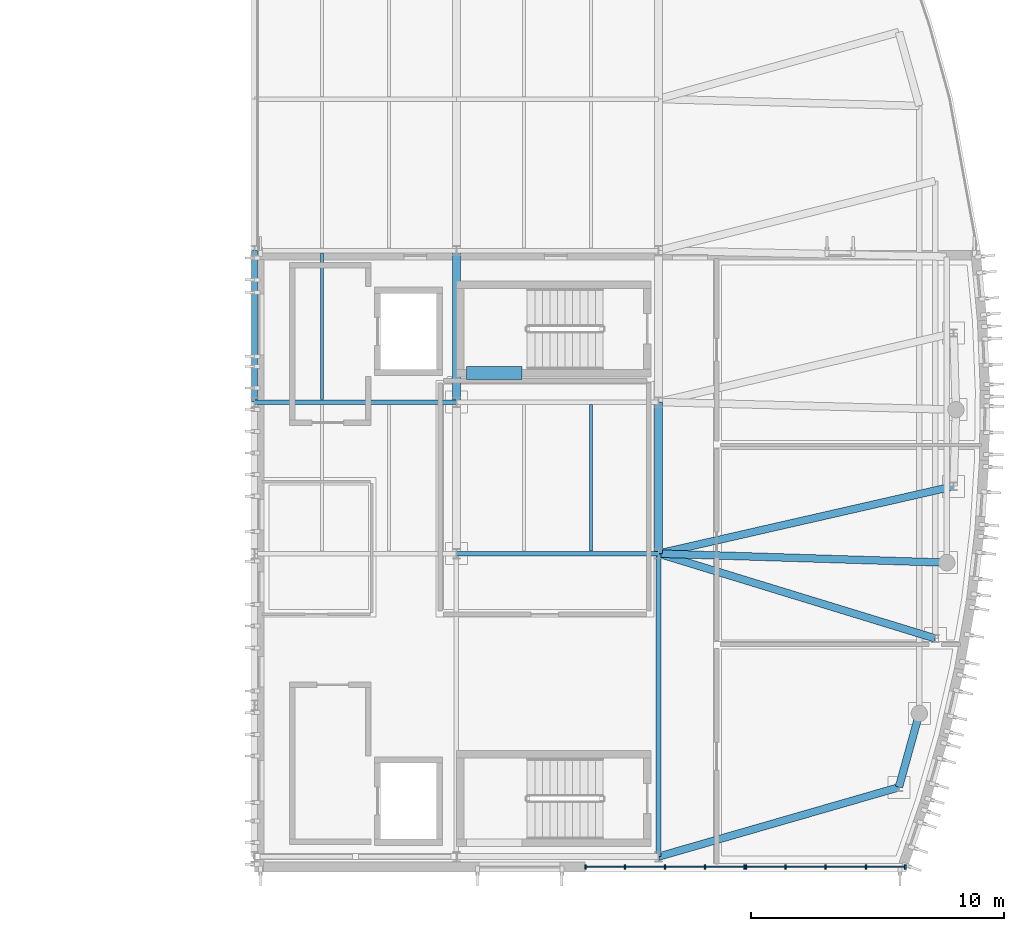
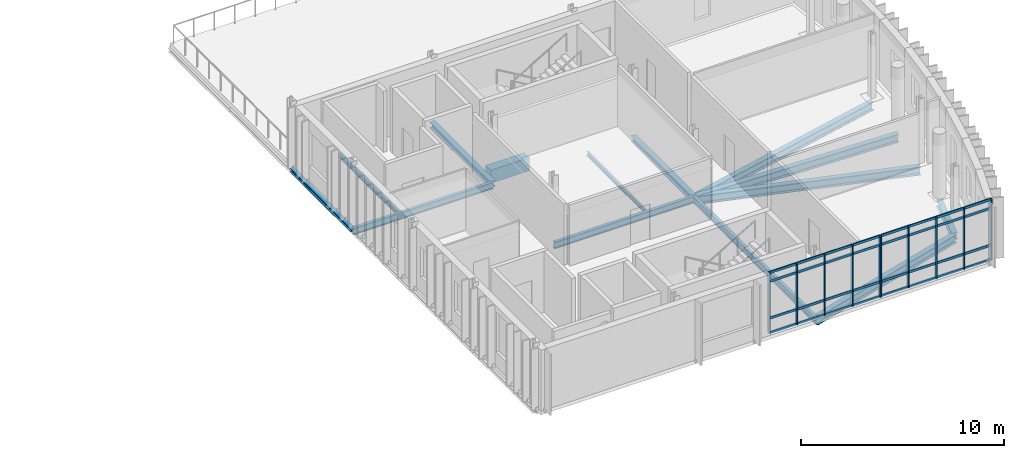
# One storey, part 17 of 40: 42 members, 14 beams, 2 elements without a shape of their own.
"""IFC4 building model written with IfcOpenShell, lengths in metres."""

from ifc_helpers import new_model, si_unit, direction, frame, origin, origin_2d, place, context, subcontext, project, spatial, rectangle, i_section, extrude, material, material_profile, profile_set, type_object, element, aggregate, save


model = new_model("IFC4")

# Units and contexts
model_context = context("Model", 3, precision=1e-05, world=origin(), true_north=direction((0.0, 1.0)))
body_context = subcontext(model_context, "Body", "Model", "MODEL_VIEW")
ifc_project = project(units=[si_unit("LENGTHUNIT", "METRE"), si_unit("AREAUNIT", "SQUARE_METRE"), si_unit("VOLUMEUNIT", "CUBIC_METRE"), si_unit("PLANEANGLEUNIT", "RADIAN"), si_unit("MASSUNIT", "GRAM", prefix="KILO")], contexts=[model_context])

# Site, building, storey
site_placement = place(None, origin())
site = spatial("IfcSite", under=ifc_project, at=site_placement, CompositionType="ELEMENT")
building_placement = place(site_placement, origin())
building = spatial("IfcBuilding", under=site, at=building_placement, Name="Cymarion Research Institute", CompositionType="ELEMENT")
storey_placement = place(building_placement, frame((0.0, 0.0, 26.699951171875)))
storey = spatial("IfcBuildingStorey", under=building, at=storey_placement, Name="L06", CompositionType="ELEMENT", Elevation=26.699951171875)

# Beam
ifc_material_1 = material(Name="Concrete C40/50", Category="concrete")
ifc_material_profile_1 = material_profile(ifc_material_1, rectangle(XDim=0.5, YDim=0.800048828125, at=origin_2d()), Name="RC 500x800")
ifc_profile_set_1 = profile_set([ifc_material_profile_1], Name="Concrete C40/50")
beam_type_1 = type_object("IfcBeamType", Name="COUPLING LINTEL LN03 RC 500x800", PredefinedType="LINTEL", material=ifc_profile_set_1)
beam_1_placement = place(storey_placement, frame((147.0, 24.64990234375, -0.639892578125), z_axis=(1.0, 0.0, 0.0), x_axis=(0.0, 1.0, 0.0)))
element("IfcBeam", 1, at=beam_1_placement, inside=storey, type_object=beam_type_1, Name="L06 C2 core coupling lintel LN03", PredefinedType="LINTEL", context=body_context, shape_type="SweptSolid", body=[
    extrude(rectangle(XDim=0.5, YDim=0.800048828125, at=origin_2d()), origin(), (0.0, 0.0, 1.0), 2.199951171875),
])

# Curtain wall, members
ifc_material_2 = material(Name="Anodised aluminium unitised curtain wall with Low-E glazing", Category="aluminium")
curtain_wall_type = type_object("IfcCurtainWallType", Name="UNITISED CURTAIN WALL CW46 6360X3680", PredefinedType="NOTDEFINED", material=ifc_material_2)
curtain_wall_1_placement = place(storey_placement, origin())
curtain_wall_1 = element("IfcCurtainWall", 2, at=curtain_wall_1_placement, inside=storey, type_object=curtain_wall_type, Name="L06 V1 unitised curtain wall CW46 #215", PredefinedType="NOTDEFINED")
ifc_material_3 = material(Name="Anodised aluminium framing", Category="aluminium")
ifc_material_profile_2 = material_profile(ifc_material_3, rectangle(XDim=0.06005859375, YDim=0.179931640625, at=origin_2d()), Name="ALU MULLION 60x180")
ifc_profile_set_2 = profile_set([ifc_material_profile_2], Name="Anodised aluminium framing")
member_type_1 = type_object("IfcMemberType", Name="CURTAIN WALL MULLION ML01 60X180", PredefinedType="MULLION", material=ifc_profile_set_2)
member_1_placement = place(storey_placement, frame((151.7109375, 5.090087890625, 0.0), z_axis=(0.0, 0.0, 1.0), x_axis=(1.0, 0.0, 0.0)))
member_1 = element("IfcMember", 3, at=member_1_placement, type_object=member_type_1, Name="CW46 mullion 1", PredefinedType="MULLION", context=body_context, shape_type="SweptSolid", body=[
    extrude(rectangle(XDim=0.06005859375, YDim=0.179931640625, at=origin_2d()), origin(), (0.0, 0.0, 1.0), 3.679931640625),
])
member_2_placement = place(storey_placement, frame((153.27099609375, 5.090087890625, 0.0), z_axis=(0.0, 0.0, 1.0), x_axis=(1.0, 0.0, 0.0)))
member_2 = element("IfcMember", 4, at=member_2_placement, type_object=member_type_1, Name="CW46 mullion 2", PredefinedType="MULLION", context=body_context, shape_type="SweptSolid", body=[
    extrude(rectangle(XDim=0.06005859375, YDim=0.179931640625, at=origin_2d()), origin(), (0.0, 0.0, 1.0), 3.679931640625),
])
member_3_placement = place(storey_placement, frame((154.86083984375, 5.090087890625, 0.0), z_axis=(0.0, 0.0, 1.0), x_axis=(1.0, 0.0, 0.0)))
member_3 = element("IfcMember", 5, at=member_3_placement, type_object=member_type_1, Name="CW46 mullion 3", PredefinedType="MULLION", context=body_context, shape_type="SweptSolid", body=[
    extrude(rectangle(XDim=0.06005859375, YDim=0.179931640625, at=origin_2d()), origin(), (0.0, 0.0, 1.0), 3.679931640625),
])
member_4_placement = place(storey_placement, frame((156.45068359375, 5.090087890625, 0.0), z_axis=(0.0, 0.0, 1.0), x_axis=(1.0, 0.0, 0.0)))
member_4 = element("IfcMember", 6, at=member_4_placement, type_object=member_type_1, Name="CW46 mullion 4", PredefinedType="MULLION", context=body_context, shape_type="SweptSolid", body=[
    extrude(rectangle(XDim=0.06005859375, YDim=0.179931640625, at=origin_2d()), origin(), (0.0, 0.0, 1.0), 3.679931640625),
])
member_5_placement = place(storey_placement, frame((158.010498046875, 5.090087890625, 0.0), z_axis=(0.0, 0.0, 1.0), x_axis=(1.0, 0.0, 0.0)))
member_5 = element("IfcMember", 7, at=member_5_placement, type_object=member_type_1, Name="CW46 mullion 5", PredefinedType="MULLION", context=body_context, shape_type="SweptSolid", body=[
    extrude(rectangle(XDim=0.06005859375, YDim=0.179931640625, at=origin_2d()), origin(), (0.0, 0.0, 1.0), 3.679931640625),
])

curtain_wall_2_placement = place(storey_placement, origin())
curtain_wall_2 = element("IfcCurtainWall", 8, at=curtain_wall_2_placement, inside=storey, type_object=curtain_wall_type, Name="L06 V1 unitised curtain wall CW46 #216", PredefinedType="NOTDEFINED")
member_6_placement = place(storey_placement, frame((158.070556640625, 5.090087890625, 0.0), z_axis=(0.0, 0.0, 1.0), x_axis=(1.0, 0.0, 0.0)))
member_6 = element("IfcMember", 9, at=member_6_placement, type_object=member_type_1, Name="CW46 mullion 1", PredefinedType="MULLION", context=body_context, shape_type="SweptSolid", body=[
    extrude(rectangle(XDim=0.06005859375, YDim=0.179931640625, at=origin_2d()), origin(), (0.0, 0.0, 1.0), 3.679931640625),
])
member_7_placement = place(storey_placement, frame((159.63037109375, 5.090087890625, 0.0), z_axis=(0.0, 0.0, 1.0), x_axis=(1.0, 0.0, 0.0)))
member_7 = element("IfcMember", 10, at=member_7_placement, type_object=member_type_1, Name="CW46 mullion 2", PredefinedType="MULLION", context=body_context, shape_type="SweptSolid", body=[
    extrude(rectangle(XDim=0.06005859375, YDim=0.179931640625, at=origin_2d()), origin(), (0.0, 0.0, 1.0), 3.679931640625),
])
member_8_placement = place(storey_placement, frame((161.22021484375, 5.090087890625, 0.0), z_axis=(0.0, 0.0, 1.0), x_axis=(1.0, 0.0, 0.0)))
member_8 = element("IfcMember", 11, at=member_8_placement, type_object=member_type_1, Name="CW46 mullion 3", PredefinedType="MULLION", context=body_context, shape_type="SweptSolid", body=[
    extrude(rectangle(XDim=0.06005859375, YDim=0.179931640625, at=origin_2d()), origin(), (0.0, 0.0, 1.0), 3.679931640625),
])
member_9_placement = place(storey_placement, frame((162.81005859375, 5.090087890625, 0.0), z_axis=(0.0, 0.0, 1.0), x_axis=(1.0, 0.0, 0.0)))
member_9 = element("IfcMember", 12, at=member_9_placement, type_object=member_type_1, Name="CW46 mullion 4", PredefinedType="MULLION", context=body_context, shape_type="SweptSolid", body=[
    extrude(rectangle(XDim=0.06005859375, YDim=0.179931640625, at=origin_2d()), origin(), (0.0, 0.0, 1.0), 3.679931640625),
])
member_10_placement = place(storey_placement, frame((164.3701171875, 5.090087890625, 0.0), z_axis=(0.0, 0.0, 1.0), x_axis=(1.0, 0.0, 0.0)))
member_10 = element("IfcMember", 13, at=member_10_placement, type_object=member_type_1, Name="CW46 mullion 5", PredefinedType="MULLION", context=body_context, shape_type="SweptSolid", body=[
    extrude(rectangle(XDim=0.06005859375, YDim=0.179931640625, at=origin_2d()), origin(), (0.0, 0.0, 1.0), 3.679931640625),
])

# Member
ifc_material_profile_3 = material_profile(ifc_material_3, rectangle(XDim=0.06005859375, YDim=0.14990234375, at=origin_2d()), Name="ALU TRANSOM 60x150")
ifc_profile_set_3 = profile_set([ifc_material_profile_3], Name="Anodised aluminium framing")
member_type_2 = type_object("IfcMemberType", Name="CURTAIN WALL TRANSOM TR01 60X150", PredefinedType="USERDEFINED", material=ifc_profile_set_3)
member_11_placement = place(storey_placement, frame((151.740966796875, 5.090087890625, 0.030029296875), z_axis=(1.0, 0.0, 0.0), x_axis=(0.0, 1.0, 0.0)))
member_11 = element("IfcMember", 14, at=member_11_placement, type_object=member_type_2, Name="CW46 transom 1.1", ObjectType="TRANSOM", PredefinedType="USERDEFINED", context=body_context, shape_type="SweptSolid", body=[
    extrude(rectangle(XDim=0.06005859375, YDim=0.14990234375, at=origin_2d()), origin(), (0.0, 0.0, 1.0), 1.5),
])

member_12_placement = place(storey_placement, frame((151.740966796875, 5.090087890625, 0.900146484375), z_axis=(1.0, 0.0, 0.0), x_axis=(0.0, 1.0, 0.0)))
member_12 = element("IfcMember", 15, at=member_12_placement, type_object=member_type_2, Name="CW46 transom 1.2", ObjectType="TRANSOM", PredefinedType="USERDEFINED", context=body_context, shape_type="SweptSolid", body=[
    extrude(rectangle(XDim=0.06005859375, YDim=0.14990234375, at=origin_2d()), origin(), (0.0, 0.0, 1.0), 1.5),
])

member_13_placement = place(storey_placement, frame((151.740966796875, 5.090087890625, 3.130126953125), z_axis=(1.0, 0.0, 0.0), x_axis=(0.0, 1.0, 0.0)))
member_13 = element("IfcMember", 16, at=member_13_placement, type_object=member_type_2, Name="CW46 transom 1.3", ObjectType="TRANSOM", PredefinedType="USERDEFINED", context=body_context, shape_type="SweptSolid", body=[
    extrude(rectangle(XDim=0.06005859375, YDim=0.14990234375, at=origin_2d()), origin(), (0.0, 0.0, 1.0), 1.5),
])

member_14_placement = place(storey_placement, frame((151.740966796875, 5.090087890625, 3.650146484375), z_axis=(1.0, 0.0, 0.0), x_axis=(0.0, 1.0, 0.0)))
member_14 = element("IfcMember", 17, at=member_14_placement, type_object=member_type_2, Name="CW46 transom 1.4", ObjectType="TRANSOM", PredefinedType="USERDEFINED", context=body_context, shape_type="SweptSolid", body=[
    extrude(rectangle(XDim=0.06005859375, YDim=0.14990234375, at=origin_2d()), origin(), (0.0, 0.0, 1.0), 1.5),
])

member_15_placement = place(storey_placement, frame((153.30078125, 5.090087890625, 0.030029296875), z_axis=(1.0, 0.0, 0.0), x_axis=(0.0, 1.0, 0.0)))
member_15 = element("IfcMember", 18, at=member_15_placement, type_object=member_type_2, Name="CW46 transom 2.1", ObjectType="TRANSOM", PredefinedType="USERDEFINED", context=body_context, shape_type="SweptSolid", body=[
    extrude(rectangle(XDim=0.06005859375, YDim=0.14990234375, at=origin_2d()), origin(), (0.0, 0.0, 1.0), 1.530029296875),
])

member_16_placement = place(storey_placement, frame((153.30078125, 5.090087890625, 0.900146484375), z_axis=(1.0, 0.0, 0.0), x_axis=(0.0, 1.0, 0.0)))
member_16 = element("IfcMember", 19, at=member_16_placement, type_object=member_type_2, Name="CW46 transom 2.2", ObjectType="TRANSOM", PredefinedType="USERDEFINED", context=body_context, shape_type="SweptSolid", body=[
    extrude(rectangle(XDim=0.06005859375, YDim=0.14990234375, at=origin_2d()), origin(), (0.0, 0.0, 1.0), 1.530029296875),
])

member_17_placement = place(storey_placement, frame((153.30078125, 5.090087890625, 3.130126953125), z_axis=(1.0, 0.0, 0.0), x_axis=(0.0, 1.0, 0.0)))
member_17 = element("IfcMember", 20, at=member_17_placement, type_object=member_type_2, Name="CW46 transom 2.3", ObjectType="TRANSOM", PredefinedType="USERDEFINED", context=body_context, shape_type="SweptSolid", body=[
    extrude(rectangle(XDim=0.06005859375, YDim=0.14990234375, at=origin_2d()), origin(), (0.0, 0.0, 1.0), 1.530029296875),
])

member_18_placement = place(storey_placement, frame((153.30078125, 5.090087890625, 3.650146484375), z_axis=(1.0, 0.0, 0.0), x_axis=(0.0, 1.0, 0.0)))
member_18 = element("IfcMember", 21, at=member_18_placement, type_object=member_type_2, Name="CW46 transom 2.4", ObjectType="TRANSOM", PredefinedType="USERDEFINED", context=body_context, shape_type="SweptSolid", body=[
    extrude(rectangle(XDim=0.06005859375, YDim=0.14990234375, at=origin_2d()), origin(), (0.0, 0.0, 1.0), 1.530029296875),
])

member_19_placement = place(storey_placement, frame((154.890869140625, 5.090087890625, 0.030029296875), z_axis=(1.0, 0.0, 0.0), x_axis=(0.0, 1.0, 0.0)))
member_19 = element("IfcMember", 22, at=member_19_placement, type_object=member_type_2, Name="CW46 transom 3.1", ObjectType="TRANSOM", PredefinedType="USERDEFINED", context=body_context, shape_type="SweptSolid", body=[
    extrude(rectangle(XDim=0.06005859375, YDim=0.14990234375, at=origin_2d()), origin(), (0.0, 0.0, 1.0), 1.52978515625),
])

member_20_placement = place(storey_placement, frame((154.890869140625, 5.090087890625, 0.900146484375), z_axis=(1.0, 0.0, 0.0), x_axis=(0.0, 1.0, 0.0)))
member_20 = element("IfcMember", 23, at=member_20_placement, type_object=member_type_2, Name="CW46 transom 3.2", ObjectType="TRANSOM", PredefinedType="USERDEFINED", context=body_context, shape_type="SweptSolid", body=[
    extrude(rectangle(XDim=0.06005859375, YDim=0.14990234375, at=origin_2d()), origin(), (0.0, 0.0, 1.0), 1.52978515625),
])

member_21_placement = place(storey_placement, frame((154.890869140625, 5.090087890625, 3.130126953125), z_axis=(1.0, 0.0, 0.0), x_axis=(0.0, 1.0, 0.0)))
member_21 = element("IfcMember", 24, at=member_21_placement, type_object=member_type_2, Name="CW46 transom 3.3", ObjectType="TRANSOM", PredefinedType="USERDEFINED", context=body_context, shape_type="SweptSolid", body=[
    extrude(rectangle(XDim=0.06005859375, YDim=0.14990234375, at=origin_2d()), origin(), (0.0, 0.0, 1.0), 1.52978515625),
])

member_22_placement = place(storey_placement, frame((154.890869140625, 5.090087890625, 3.650146484375), z_axis=(1.0, 0.0, 0.0), x_axis=(0.0, 1.0, 0.0)))
member_22 = element("IfcMember", 25, at=member_22_placement, type_object=member_type_2, Name="CW46 transom 3.4", ObjectType="TRANSOM", PredefinedType="USERDEFINED", context=body_context, shape_type="SweptSolid", body=[
    extrude(rectangle(XDim=0.06005859375, YDim=0.14990234375, at=origin_2d()), origin(), (0.0, 0.0, 1.0), 1.52978515625),
])

member_23_placement = place(storey_placement, frame((156.480712890625, 5.090087890625, 0.030029296875), z_axis=(1.0, 0.0, 0.0), x_axis=(0.0, 1.0, 0.0)))
member_23 = element("IfcMember", 26, at=member_23_placement, type_object=member_type_2, Name="CW46 transom 4.1", ObjectType="TRANSOM", PredefinedType="USERDEFINED", context=body_context, shape_type="SweptSolid", body=[
    extrude(rectangle(XDim=0.06005859375, YDim=0.14990234375, at=origin_2d()), origin(), (0.0, 0.0, 1.0), 1.499755859375),
])

member_24_placement = place(storey_placement, frame((156.480712890625, 5.090087890625, 0.900146484375), z_axis=(1.0, 0.0, 0.0), x_axis=(0.0, 1.0, 0.0)))
member_24 = element("IfcMember", 27, at=member_24_placement, type_object=member_type_2, Name="CW46 transom 4.2", ObjectType="TRANSOM", PredefinedType="USERDEFINED", context=body_context, shape_type="SweptSolid", body=[
    extrude(rectangle(XDim=0.06005859375, YDim=0.14990234375, at=origin_2d()), origin(), (0.0, 0.0, 1.0), 1.499755859375),
])

member_25_placement = place(storey_placement, frame((156.480712890625, 5.090087890625, 3.130126953125), z_axis=(1.0, 0.0, 0.0), x_axis=(0.0, 1.0, 0.0)))
member_25 = element("IfcMember", 28, at=member_25_placement, type_object=member_type_2, Name="CW46 transom 4.3", ObjectType="TRANSOM", PredefinedType="USERDEFINED", context=body_context, shape_type="SweptSolid", body=[
    extrude(rectangle(XDim=0.06005859375, YDim=0.14990234375, at=origin_2d()), origin(), (0.0, 0.0, 1.0), 1.499755859375),
])

member_26_placement = place(storey_placement, frame((156.480712890625, 5.090087890625, 3.650146484375), z_axis=(1.0, 0.0, 0.0), x_axis=(0.0, 1.0, 0.0)))
member_26 = element("IfcMember", 29, at=member_26_placement, type_object=member_type_2, Name="CW46 transom 4.4", ObjectType="TRANSOM", PredefinedType="USERDEFINED", context=body_context, shape_type="SweptSolid", body=[
    extrude(rectangle(XDim=0.06005859375, YDim=0.14990234375, at=origin_2d()), origin(), (0.0, 0.0, 1.0), 1.499755859375),
])

aggregate(curtain_wall_1, [member_1, member_2, member_3, member_4, member_5, member_11, member_12, member_13, member_14, member_15, member_16, member_17, member_18, member_19, member_20, member_21, member_22, member_23, member_24, member_25, member_26])

member_27_placement = place(storey_placement, frame((158.1005859375, 5.090087890625, 0.030029296875), z_axis=(1.0, 0.0, 0.0), x_axis=(0.0, 1.0, 0.0)))
member_27 = element("IfcMember", 30, at=member_27_placement, type_object=member_type_2, Name="CW46 transom 1.1", ObjectType="TRANSOM", PredefinedType="USERDEFINED", context=body_context, shape_type="SweptSolid", body=[
    extrude(rectangle(XDim=0.06005859375, YDim=0.14990234375, at=origin_2d()), origin(), (0.0, 0.0, 1.0), 1.499755859375),
])

member_28_placement = place(storey_placement, frame((158.1005859375, 5.090087890625, 0.900146484375), z_axis=(1.0, 0.0, 0.0), x_axis=(0.0, 1.0, 0.0)))
member_28 = element("IfcMember", 31, at=member_28_placement, type_object=member_type_2, Name="CW46 transom 1.2", ObjectType="TRANSOM", PredefinedType="USERDEFINED", context=body_context, shape_type="SweptSolid", body=[
    extrude(rectangle(XDim=0.06005859375, YDim=0.14990234375, at=origin_2d()), origin(), (0.0, 0.0, 1.0), 1.499755859375),
])

member_29_placement = place(storey_placement, frame((158.1005859375, 5.090087890625, 3.130126953125), z_axis=(1.0, 0.0, 0.0), x_axis=(0.0, 1.0, 0.0)))
member_29 = element("IfcMember", 32, at=member_29_placement, type_object=member_type_2, Name="CW46 transom 1.3", ObjectType="TRANSOM", PredefinedType="USERDEFINED", context=body_context, shape_type="SweptSolid", body=[
    extrude(rectangle(XDim=0.06005859375, YDim=0.14990234375, at=origin_2d()), origin(), (0.0, 0.0, 1.0), 1.499755859375),
])

member_30_placement = place(storey_placement, frame((158.1005859375, 5.090087890625, 3.650146484375), z_axis=(1.0, 0.0, 0.0), x_axis=(0.0, 1.0, 0.0)))
member_30 = element("IfcMember", 33, at=member_30_placement, type_object=member_type_2, Name="CW46 transom 1.4", ObjectType="TRANSOM", PredefinedType="USERDEFINED", context=body_context, shape_type="SweptSolid", body=[
    extrude(rectangle(XDim=0.06005859375, YDim=0.14990234375, at=origin_2d()), origin(), (0.0, 0.0, 1.0), 1.499755859375),
])

member_31_placement = place(storey_placement, frame((159.660400390625, 5.090087890625, 0.030029296875), z_axis=(1.0, 0.0, 0.0), x_axis=(0.0, 1.0, 0.0)))
member_31 = element("IfcMember", 34, at=member_31_placement, type_object=member_type_2, Name="CW46 transom 2.1", ObjectType="TRANSOM", PredefinedType="USERDEFINED", context=body_context, shape_type="SweptSolid", body=[
    extrude(rectangle(XDim=0.06005859375, YDim=0.14990234375, at=origin_2d()), origin(), (0.0, 0.0, 1.0), 1.52978515625),
])

member_32_placement = place(storey_placement, frame((159.660400390625, 5.090087890625, 0.900146484375), z_axis=(1.0, 0.0, 0.0), x_axis=(0.0, 1.0, 0.0)))
member_32 = element("IfcMember", 35, at=member_32_placement, type_object=member_type_2, Name="CW46 transom 2.2", ObjectType="TRANSOM", PredefinedType="USERDEFINED", context=body_context, shape_type="SweptSolid", body=[
    extrude(rectangle(XDim=0.06005859375, YDim=0.14990234375, at=origin_2d()), origin(), (0.0, 0.0, 1.0), 1.52978515625),
])

member_33_placement = place(storey_placement, frame((159.660400390625, 5.090087890625, 3.130126953125), z_axis=(1.0, 0.0, 0.0), x_axis=(0.0, 1.0, 0.0)))
member_33 = element("IfcMember", 36, at=member_33_placement, type_object=member_type_2, Name="CW46 transom 2.3", ObjectType="TRANSOM", PredefinedType="USERDEFINED", context=body_context, shape_type="SweptSolid", body=[
    extrude(rectangle(XDim=0.06005859375, YDim=0.14990234375, at=origin_2d()), origin(), (0.0, 0.0, 1.0), 1.52978515625),
])

member_34_placement = place(storey_placement, frame((159.660400390625, 5.090087890625, 3.650146484375), z_axis=(1.0, 0.0, 0.0), x_axis=(0.0, 1.0, 0.0)))
member_34 = element("IfcMember", 37, at=member_34_placement, type_object=member_type_2, Name="CW46 transom 2.4", ObjectType="TRANSOM", PredefinedType="USERDEFINED", context=body_context, shape_type="SweptSolid", body=[
    extrude(rectangle(XDim=0.06005859375, YDim=0.14990234375, at=origin_2d()), origin(), (0.0, 0.0, 1.0), 1.52978515625),
])

member_35_placement = place(storey_placement, frame((161.250244140625, 5.090087890625, 0.030029296875), z_axis=(1.0, 0.0, 0.0), x_axis=(0.0, 1.0, 0.0)))
member_35 = element("IfcMember", 38, at=member_35_placement, type_object=member_type_2, Name="CW46 transom 3.1", ObjectType="TRANSOM", PredefinedType="USERDEFINED", context=body_context, shape_type="SweptSolid", body=[
    extrude(rectangle(XDim=0.06005859375, YDim=0.14990234375, at=origin_2d()), origin(), (0.0, 0.0, 1.0), 1.52978515625),
])

member_36_placement = place(storey_placement, frame((161.250244140625, 5.090087890625, 0.900146484375), z_axis=(1.0, 0.0, 0.0), x_axis=(0.0, 1.0, 0.0)))
member_36 = element("IfcMember", 39, at=member_36_placement, type_object=member_type_2, Name="CW46 transom 3.2", ObjectType="TRANSOM", PredefinedType="USERDEFINED", context=body_context, shape_type="SweptSolid", body=[
    extrude(rectangle(XDim=0.06005859375, YDim=0.14990234375, at=origin_2d()), origin(), (0.0, 0.0, 1.0), 1.52978515625),
])

member_37_placement = place(storey_placement, frame((161.250244140625, 5.090087890625, 3.130126953125), z_axis=(1.0, 0.0, 0.0), x_axis=(0.0, 1.0, 0.0)))
member_37 = element("IfcMember", 40, at=member_37_placement, type_object=member_type_2, Name="CW46 transom 3.3", ObjectType="TRANSOM", PredefinedType="USERDEFINED", context=body_context, shape_type="SweptSolid", body=[
    extrude(rectangle(XDim=0.06005859375, YDim=0.14990234375, at=origin_2d()), origin(), (0.0, 0.0, 1.0), 1.52978515625),
])

member_38_placement = place(storey_placement, frame((161.250244140625, 5.090087890625, 3.650146484375), z_axis=(1.0, 0.0, 0.0), x_axis=(0.0, 1.0, 0.0)))
member_38 = element("IfcMember", 41, at=member_38_placement, type_object=member_type_2, Name="CW46 transom 3.4", ObjectType="TRANSOM", PredefinedType="USERDEFINED", context=body_context, shape_type="SweptSolid", body=[
    extrude(rectangle(XDim=0.06005859375, YDim=0.14990234375, at=origin_2d()), origin(), (0.0, 0.0, 1.0), 1.52978515625),
])

member_39_placement = place(storey_placement, frame((162.840087890625, 5.090087890625, 0.030029296875), z_axis=(1.0, 0.0, 0.0), x_axis=(0.0, 1.0, 0.0)))
member_39 = element("IfcMember", 42, at=member_39_placement, type_object=member_type_2, Name="CW46 transom 4.1", ObjectType="TRANSOM", PredefinedType="USERDEFINED", context=body_context, shape_type="SweptSolid", body=[
    extrude(rectangle(XDim=0.06005859375, YDim=0.14990234375, at=origin_2d()), origin(), (0.0, 0.0, 1.0), 1.5),
])

member_40_placement = place(storey_placement, frame((162.840087890625, 5.090087890625, 0.900146484375), z_axis=(1.0, 0.0, 0.0), x_axis=(0.0, 1.0, 0.0)))
member_40 = element("IfcMember", 43, at=member_40_placement, type_object=member_type_2, Name="CW46 transom 4.2", ObjectType="TRANSOM", PredefinedType="USERDEFINED", context=body_context, shape_type="SweptSolid", body=[
    extrude(rectangle(XDim=0.06005859375, YDim=0.14990234375, at=origin_2d()), origin(), (0.0, 0.0, 1.0), 1.5),
])

member_41_placement = place(storey_placement, frame((162.840087890625, 5.090087890625, 3.130126953125), z_axis=(1.0, 0.0, 0.0), x_axis=(0.0, 1.0, 0.0)))
member_41 = element("IfcMember", 44, at=member_41_placement, type_object=member_type_2, Name="CW46 transom 4.3", ObjectType="TRANSOM", PredefinedType="USERDEFINED", context=body_context, shape_type="SweptSolid", body=[
    extrude(rectangle(XDim=0.06005859375, YDim=0.14990234375, at=origin_2d()), origin(), (0.0, 0.0, 1.0), 1.5),
])

member_42_placement = place(storey_placement, frame((162.840087890625, 5.090087890625, 3.650146484375), z_axis=(1.0, 0.0, 0.0), x_axis=(0.0, 1.0, 0.0)))
member_42 = element("IfcMember", 45, at=member_42_placement, type_object=member_type_2, Name="CW46 transom 4.4", ObjectType="TRANSOM", PredefinedType="USERDEFINED", context=body_context, shape_type="SweptSolid", body=[
    extrude(rectangle(XDim=0.06005859375, YDim=0.14990234375, at=origin_2d()), origin(), (0.0, 0.0, 1.0), 1.5),
])

aggregate(curtain_wall_2, [member_6, member_7, member_8, member_9, member_10, member_27, member_28, member_29, member_30, member_31, member_32, member_33, member_34, member_35, member_36, member_37, member_38, member_39, member_40, member_41, member_42])

# Beams
ifc_material_4 = material(Name="Steel S355", Category="steel")
ifc_material_profile_4 = material_profile(ifc_material_4, i_section(OverallWidth=0.179931640625, OverallDepth=0.39990234375, WebThickness=0.008544921875, FlangeThickness=0.013427734375, FilletRadius=0.02099609375, at=origin_2d()), Name="IPE 400")
ifc_profile_set_4 = profile_set([ifc_material_profile_4], Name="Steel S355")
beam_type_2 = type_object("IfcBeamType", Name="PRIMARY GIRDER BM05 IPE 400", PredefinedType="BEAM", material=ifc_profile_set_4)
for number, where, z_axis, x_axis, name in (
    (46, (146.60595703125, 17.5, -0.419921875), (1.0, 0.0, 0.0), (0.0, 1.0, 0.0), "L06 V1 girder BM05 #2043"),
    (47, (138.60595703125, 23.5, -0.419921875), (1.0, 0.0, 0.0), (0.0, 1.0, 0.0), "L06 V1 girder BM05 #2044"),
):
    element("IfcBeam", number, at=place(storey_placement, frame(where, z_axis=z_axis, x_axis=x_axis)), inside=storey, type_object=beam_type_2, Name=name, PredefinedType="BEAM", context=body_context, shape_type="SweptSolid", body=[
        extrude(i_section(OverallWidth=0.179931640625, OverallDepth=0.39990234375, WebThickness=0.008544921875, FlangeThickness=0.013427734375, FilletRadius=0.02099609375, at=origin_2d()), origin(), (0.0, 0.0, 1.0), 7.988037109375),
    ])
beam_2_placement = place(storey_placement, frame((154.60009765625, 5.506103515625, -0.419921875), z_axis=(0.0, 1.0, 0.0), x_axis=(-1.0, 0.0, 0.0)))
element("IfcBeam", 48, at=beam_2_placement, inside=storey, type_object=beam_type_2, Name="L06 V1 girder BM05 #2063", PredefinedType="BEAM", context=body_context, shape_type="SweptSolid", body=[
    extrude(i_section(OverallWidth=0.179931640625, OverallDepth=0.39990234375, WebThickness=0.008544921875, FlangeThickness=0.013427734375, FilletRadius=0.02099609375, at=origin_2d()), origin(), (0.0, 0.0, 1.0), 11.98779296875),
])
ifc_material_profile_5 = material_profile(ifc_material_4, i_section(OverallWidth=0.300048828125, OverallDepth=0.5, WebThickness=0.014404296875, FlangeThickness=0.028076171875, FilletRadius=0.027099609375, at=origin_2d()), Name="HEB 500")
ifc_profile_set_5 = profile_set([ifc_material_profile_5], Name="Steel S355")
beam_type_3 = type_object("IfcBeamType", Name="PRIMARY GIRDER BM09 HEB 500", PredefinedType="BEAM", material=ifc_profile_set_5)
beam_3_placement = place(storey_placement, frame((154.607666015625, 5.502197265625, -0.469970703125), z_axis=(0.960790340878, 0.277275893067, 0.0), x_axis=(-0.277275893067, 0.960790340878, 0.0)))
element("IfcBeam", 49, at=beam_3_placement, inside=storey, type_object=beam_type_3, Name="L06 V1 radial prow girder BM09 #2075", PredefinedType="BEAM", context=body_context, shape_type="SweptSolid", body=[
    extrude(i_section(OverallWidth=0.300048828125, OverallDepth=0.5, WebThickness=0.014404296875, FlangeThickness=0.028076171875, FilletRadius=0.027099609375, at=origin_2d()), origin(), (0.0, 0.0, 1.0), 9.8916015625),
])
beam_4_placement = place(storey_placement, frame((154.607666015625, 17.497802734375, -0.469970703125), z_axis=(0.956111343016, -0.29300358318, 0.0), x_axis=(0.29300358318, 0.956111343016, 0.0)))
element("IfcBeam", 50, at=beam_4_placement, inside=storey, type_object=beam_type_3, Name="L06 V1 radial prow girder BM09 #2076", PredefinedType="BEAM", context=body_context, shape_type="SweptSolid", body=[
    extrude(i_section(OverallWidth=0.300048828125, OverallDepth=0.5, WebThickness=0.014404296875, FlangeThickness=0.028076171875, FilletRadius=0.027099609375, at=origin_2d()), origin(), (0.0, 0.0, 1.0), 11.447021484375),
])
beam_5_placement = place(storey_placement, frame((154.60791015625, 17.499755859375, -0.469970703125), z_axis=(0.999510612774, -0.03128154332, 0.0), x_axis=(0.03128154332, 0.999510612774, 0.0)))
element("IfcBeam", 51, at=beam_5_placement, inside=storey, type_object=beam_type_3, Name="L06 V1 radial prow girder BM09 #2077", PredefinedType="BEAM", context=body_context, shape_type="SweptSolid", body=[
    extrude(i_section(OverallWidth=0.300048828125, OverallDepth=0.5, WebThickness=0.014404296875, FlangeThickness=0.028076171875, FilletRadius=0.027099609375, at=origin_2d()), origin(), (0.0, 0.0, 1.0), 11.402587890625),
])
beam_6_placement = place(storey_placement, frame((154.60791015625, 17.501708984375, -0.469970703125), z_axis=(0.974944767555, 0.222447072846, 0.0), x_axis=(-0.222447072846, 0.974944767555, 0.0)))
element("IfcBeam", 52, at=beam_6_placement, inside=storey, type_object=beam_type_3, Name="L06 V1 radial prow girder BM09 #2078", PredefinedType="BEAM", context=body_context, shape_type="SweptSolid", body=[
    extrude(i_section(OverallWidth=0.300048828125, OverallDepth=0.5, WebThickness=0.014404296875, FlangeThickness=0.028076171875, FilletRadius=0.027099609375, at=origin_2d()), origin(), (0.0, 0.0, 1.0), 11.969482421875),
])
ifc_material_profile_6 = material_profile(ifc_material_4, i_section(OverallWidth=0.300048828125, OverallDepth=0.39990234375, WebThickness=0.013427734375, FlangeThickness=0.02392578125, FilletRadius=0.027099609375, at=origin_2d()), Name="HEB 400")
ifc_profile_set_6 = profile_set([ifc_material_profile_6], Name="Steel S355")
beam_type_4 = type_object("IfcBeamType", Name="PRIMARY GIRDER BM11 HEB 400", PredefinedType="BEAM", material=ifc_profile_set_6)
beam_7_placement = place(storey_placement, frame((164.12109375, 8.254638671875, -0.419921875), z_axis=(0.266488575035, 0.963838077364, 0.0), x_axis=(-0.963838077364, 0.266488575035, 0.0)))
element("IfcBeam", 53, at=beam_7_placement, inside=storey, type_object=beam_type_4, Name="L06 V1 prow ring girder BM11 #2071", PredefinedType="BEAM", context=body_context, shape_type="SweptSolid", body=[
    extrude(i_section(OverallWidth=0.300048828125, OverallDepth=0.39990234375, WebThickness=0.013427734375, FlangeThickness=0.02392578125, FilletRadius=0.027099609375, at=origin_2d()), origin(), (0.0, 0.0, 1.0), 3.01953125),
])
ifc_material_profile_7 = material_profile(ifc_material_4, i_section(OverallWidth=0.300048828125, OverallDepth=0.35009765625, WebThickness=0.010009765625, FlangeThickness=0.017578125, FilletRadius=0.027099609375, at=origin_2d()), Name="HEA 360")
ifc_profile_set_7 = profile_set([ifc_material_profile_7], Name="Steel S355")
beam_type_5 = type_object("IfcBeamType", Name="PRIMARY GIRDER BM12 HEA 360", PredefinedType="BEAM", material=ifc_profile_set_7)
for number, where, z_axis, x_axis, name in (
    (54, (146.60009765625, 23.506103515625, -0.39501953125), (0.0, 1.0, 0.0), (-1.0, 0.0, 0.0), "L06 V1 girder BM12 #2060"),
    (55, (154.60009765625, 17.506103515625, -0.39501953125), (0.0, 1.0, 0.0), (-1.0, 0.0, 0.0), "L06 V1 girder BM12 #2064"),
):
    element("IfcBeam", number, at=place(storey_placement, frame(where, z_axis=z_axis, x_axis=x_axis)), inside=storey, type_object=beam_type_5, Name=name, PredefinedType="BEAM", context=body_context, shape_type="SweptSolid", body=[
        extrude(i_section(OverallWidth=0.300048828125, OverallDepth=0.35009765625, WebThickness=0.010009765625, FlangeThickness=0.017578125, FilletRadius=0.027099609375, at=origin_2d()), origin(), (0.0, 0.0, 1.0), 5.98779296875),
    ])
ifc_material_profile_8 = material_profile(ifc_material_4, i_section(OverallWidth=0.1201171875, OverallDepth=0.239990234375, WebThickness=0.006103515625, FlangeThickness=0.009765625, FilletRadius=0.014892578125, at=origin_2d()), Name="IPE 240")
ifc_profile_set_8 = profile_set([ifc_material_profile_8], Name="Steel S355")
beam_type_6 = type_object("IfcBeamType", Name="SECONDARY JOIST JS04 IPE 240", PredefinedType="JOIST", material=ifc_profile_set_8)
for number, where, z_axis, x_axis, name in (
    (56, (151.933349609375, 17.593994140625, -0.33984375), (0.0, 1.0, 0.0), (-1.0, 0.0, 0.0), "L06 V1 secondary joist JS04 #2088"),
    (57, (141.2666015625, 23.593994140625, -0.33984375), (0.0, 1.0, 0.0), (-1.0, 0.0, 0.0), "L06 V1 secondary joist JS04 #2089"),
):
    element("IfcBeam", number, at=place(storey_placement, frame(where, z_axis=z_axis, x_axis=x_axis)), inside=storey, type_object=beam_type_6, Name=name, PredefinedType="JOIST", context=body_context, shape_type="SweptSolid", body=[
        extrude(i_section(OverallWidth=0.1201171875, OverallDepth=0.239990234375, WebThickness=0.006103515625, FlangeThickness=0.009765625, FilletRadius=0.014892578125, at=origin_2d()), origin(), (0.0, 0.0, 1.0), 5.81201171875),
    ])
ifc_material_profile_9 = material_profile(ifc_material_4, i_section(OverallWidth=0.239990234375, OverallDepth=0.22998046875, WebThickness=0.007568359375, FlangeThickness=0.011962890625, FilletRadius=0.02099609375, at=origin_2d()), Name="HEA 240")
ifc_profile_set_9 = profile_set([ifc_material_profile_9], Name="Steel S355")
beam_type_7 = type_object("IfcBeamType", Name="SPANDREL BEAM SPB03 HEA 240", PredefinedType="SPANDREL", material=ifc_profile_set_9)
beam_8_placement = place(storey_placement, frame((138.60009765625, 23.506103515625, -0.3349609375), z_axis=(0.0, 1.0, 0.0), x_axis=(-1.0, 0.0, 0.0)))
element("IfcBeam", 58, at=beam_8_placement, inside=storey, type_object=beam_type_7, Name="L06 V1 girder SPB03 #2055", PredefinedType="SPANDREL", context=body_context, shape_type="SweptSolid", body=[
    extrude(i_section(OverallWidth=0.239990234375, OverallDepth=0.22998046875, WebThickness=0.007568359375, FlangeThickness=0.011962890625, FilletRadius=0.02099609375, at=origin_2d()), origin(), (0.0, 0.0, 1.0), 5.98779296875),
])

save(model, "model.ifc")
